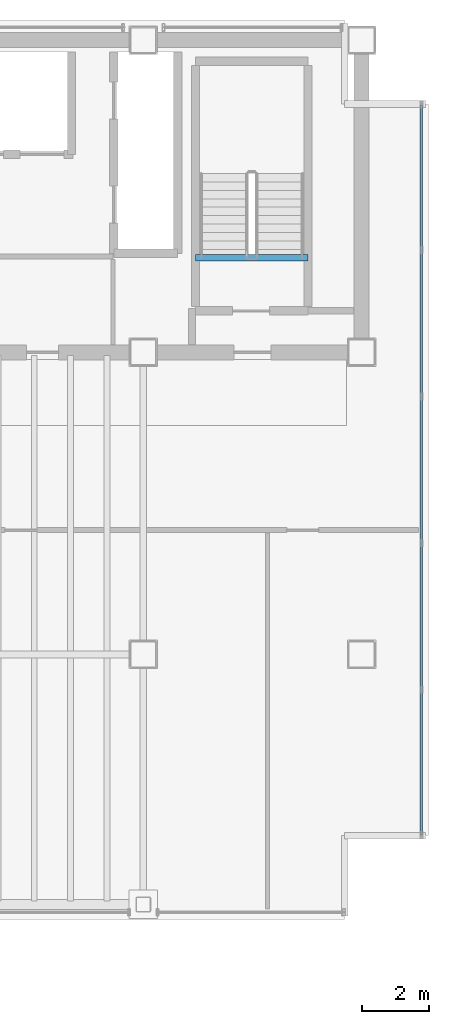
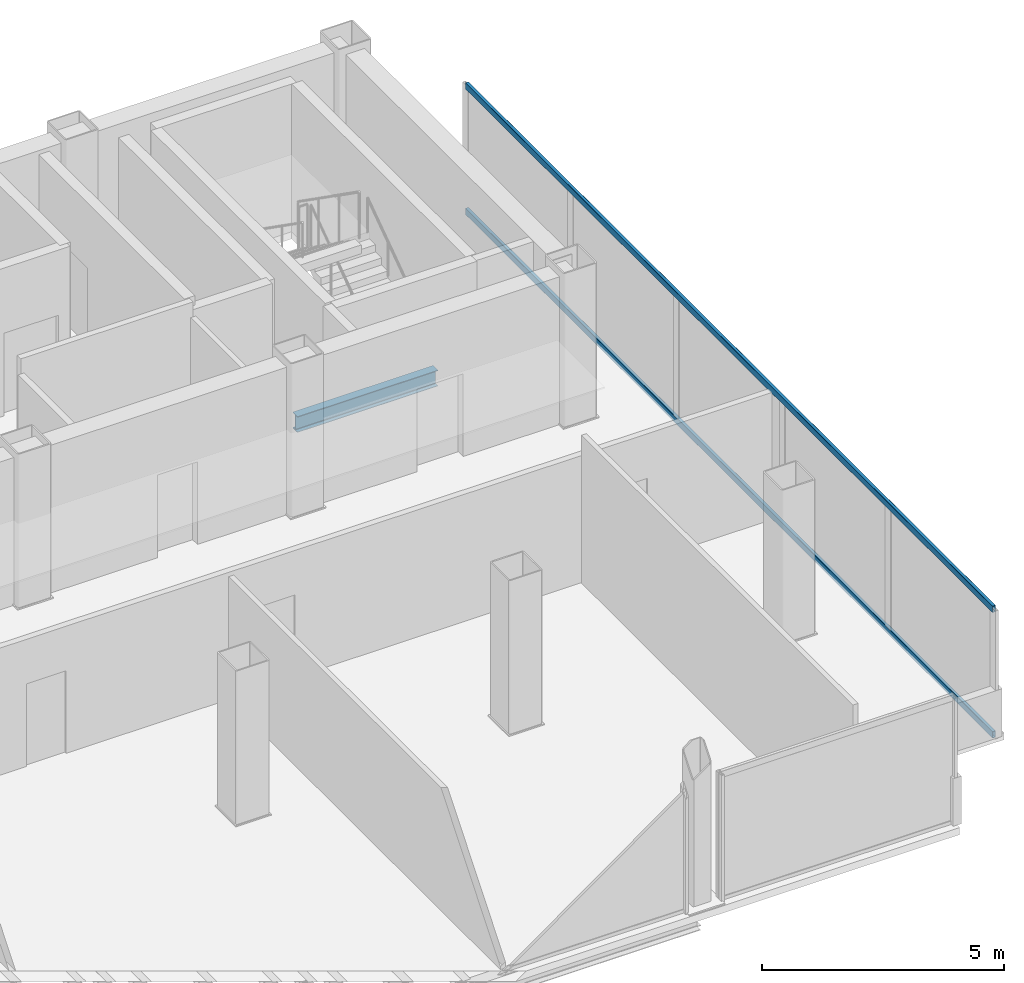
# One storey, part 11 of 16: 2 members, 1 beam, 1 element without a shape of its own.
"""IFC4 building model written with IfcOpenShell, lengths in metres."""

from ifc_helpers import new_model, si_unit, direction, frame, origin, origin_2d, place, context, subcontext, project, spatial, hollow_rectangle, i_section, extrude, material, material_profile, profile_set, type_object, element, aggregate, save


model = new_model("IFC4")

# Units and contexts
model_context = context("Model", 3, precision=1e-05, world=origin(), true_north=direction((0.0, 1.0)))
body_context = subcontext(model_context, "Body", "Model", "MODEL_VIEW")
ifc_project = project(units=[si_unit("LENGTHUNIT", "METRE"), si_unit("AREAUNIT", "SQUARE_METRE"), si_unit("VOLUMEUNIT", "CUBIC_METRE"), si_unit("PLANEANGLEUNIT", "RADIAN"), si_unit("MASSUNIT", "GRAM", prefix="KILO")], contexts=[model_context])

# Site, building, storey
site_placement = place(None, origin())
site = spatial("IfcSite", under=ifc_project, at=site_placement, CompositionType="ELEMENT")
building_placement = place(site_placement, origin())
building = spatial("IfcBuilding", under=site, at=building_placement, Name="Noeulbin Bourse Tower", CompositionType="ELEMENT")
storey_placement = place(building_placement, frame((0.0, 0.0, 234.5)))
storey = spatial("IfcBuildingStorey", under=building, at=storey_placement, Name="L58", CompositionType="ELEMENT", Elevation=234.5)

# Beam
ifc_material_1 = material(Name="Steel S355", Category="steel")
ifc_material_profile_1 = material_profile(ifc_material_1, i_section(OverallWidth=0.199951171875, OverallDepth=0.39990234375, WebThickness=0.008056640625, FlangeThickness=0.012939453125, FilletRadius=0.01611328125, at=origin_2d()), Name="H-400x200x8x13", Category="LoadBearing")
ifc_profile_set_1 = profile_set([ifc_material_profile_1], Name="Steel S355")
beam_type = type_object("IfcBeamType", Name="BM-SEC-400", PredefinedType="BEAM", material=ifc_profile_set_1)
beam_placement = place(storey_placement, frame((39.06005859375, 31.820068359375, -0.199951171875), z_axis=(1.0, 0.0, 0.0), x_axis=(0.0, 1.0, 0.0)))
element("IfcBeam", 1, at=beam_placement, inside=storey, type_object=beam_type, Name="Stair Threshold Trimmer Beam ST2-L58", PredefinedType="BEAM", context=body_context, shape_type="SweptSolid", body=[
    extrude(i_section(OverallWidth=0.199951171875, OverallDepth=0.39990234375, WebThickness=0.008056640625, FlangeThickness=0.012939453125, FilletRadius=0.01611328125, at=origin_2d()), origin(), (0.0, 0.0, 1.0), 3.33984375),
])

# Curtain wall, members
ifc_material_2 = material(Name="High-Selectivity Low-Iron Glazing", Category="glass")
curtain_wall_type = type_object("IfcCurtainWallType", Name="CW-SYS-4", PredefinedType="NOTDEFINED", material=ifc_material_2)
curtain_wall_placement = place(storey_placement, origin())
curtain_wall = element("IfcCurtainWall", 2, at=curtain_wall_placement, inside=storey, type_object=curtain_wall_type, Name="Unitised Curtain Wall CW-L58-E", PredefinedType="NOTDEFINED")
ifc_material_3 = material(Name="Anodised Aluminium 6063-T6", Category="aluminium")
ifc_material_profile_2 = material_profile(ifc_material_3, hollow_rectangle(XDim=0.074951171875, YDim=0.159912109375, WallThickness=0.0048828125, InnerFilletRadius=0.00244140625, OuterFilletRadius=0.0048828125, at=origin_2d()), Name="ALU-TRAN-75x160x5", Category="LoadBearing")
ifc_profile_set_2 = profile_set([ifc_material_profile_2], Name="Anodised Aluminium 6063-T6")
member_type = type_object("IfcMemberType", Name="CW-SYS-4-TRN", PredefinedType="USERDEFINED", material=ifc_profile_set_2)
member_1_placement = place(storey_placement, frame((45.780029296875, 14.6298828125, 0.010009765625), z_axis=(0.0, 1.0, 0.0), x_axis=(-1.0, 0.0, 0.0)))
member_1 = element("IfcMember", 3, at=member_1_placement, type_object=member_type, Name="Curtain Wall Transom CW-L58-E-T00", ObjectType="TRANSOM", PredefinedType="USERDEFINED", context=body_context, shape_type="SweptSolid", body=[
    extrude(hollow_rectangle(XDim=0.074951171875, YDim=0.159912109375, WallThickness=0.0048828125, InnerFilletRadius=0.00244140625, OuterFilletRadius=0.0048828125, at=origin_2d()), origin(), (0.0, 0.0, 1.0), 21.740234375),
])
member_2_placement = place(storey_placement, frame((45.780029296875, 14.6298828125, 3.169921875), z_axis=(0.0, 1.0, 0.0), x_axis=(-1.0, 0.0, 0.0)))
member_2 = element("IfcMember", 4, at=member_2_placement, type_object=member_type, Name="Curtain Wall Transom CW-L58-E-T01", ObjectType="TRANSOM", PredefinedType="USERDEFINED", context=body_context, shape_type="SweptSolid", body=[
    extrude(hollow_rectangle(XDim=0.074951171875, YDim=0.159912109375, WallThickness=0.0048828125, InnerFilletRadius=0.00244140625, OuterFilletRadius=0.0048828125, at=origin_2d()), origin(), (0.0, 0.0, 1.0), 21.740234375),
])
aggregate(curtain_wall, [member_1, member_2])

save(model, "model.ifc")
